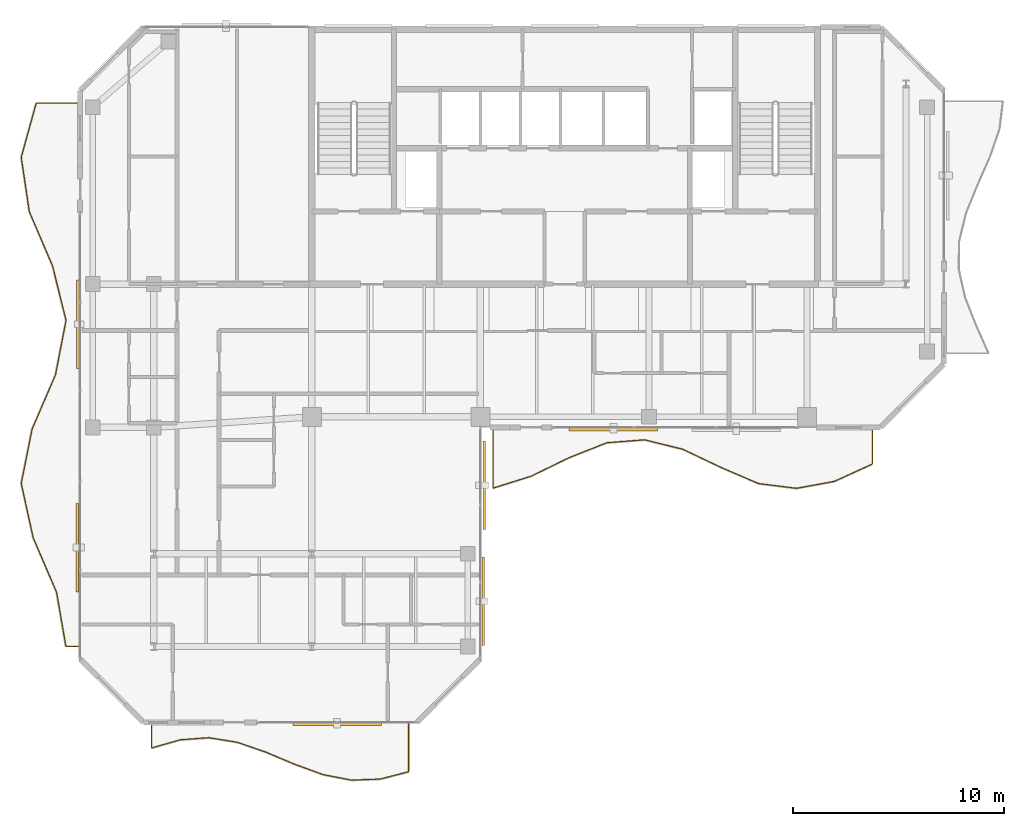
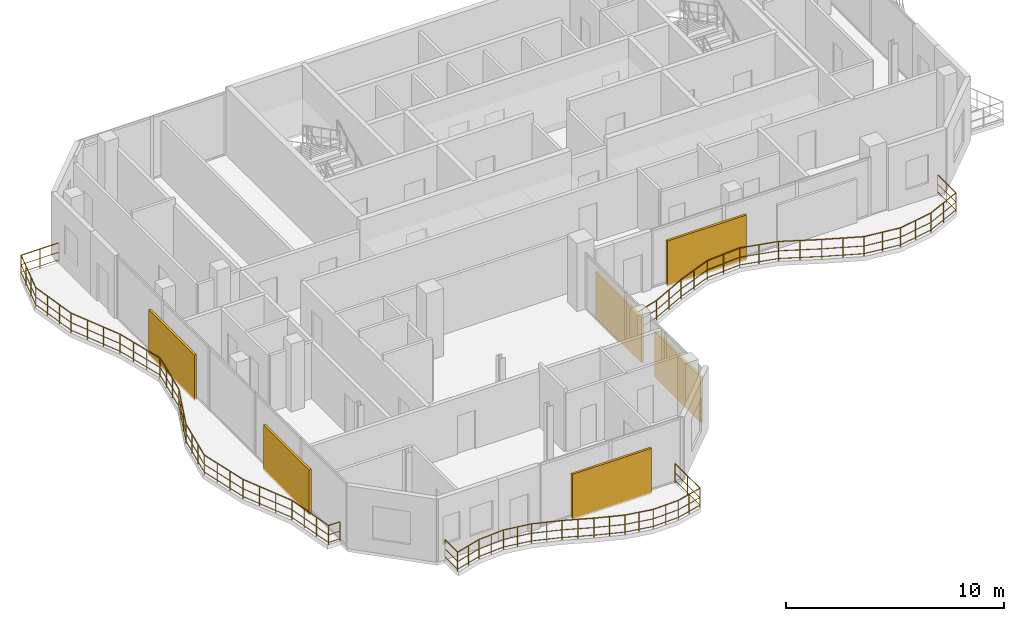
# One storey, part 21 of 23: 6 shading devices, 3 railings.
"""IFC4 building model written with IfcOpenShell, lengths in metres."""

from ifc_helpers import new_model, si_unit, direction, frame, origin, origin_2d, place, context, subcontext, project, spatial, rectangle, circle, extrude, material, type_object, element, save


model = new_model("IFC4")

# Units and contexts
model_context = context("Model", 3, precision=1e-05, world=origin(), true_north=direction((0.0, 1.0)))
body_context = subcontext(model_context, "Body", "Model", "MODEL_VIEW")
ifc_project = project(units=[si_unit("LENGTHUNIT", "METRE"), si_unit("AREAUNIT", "SQUARE_METRE"), si_unit("VOLUMEUNIT", "CUBIC_METRE"), si_unit("PLANEANGLEUNIT", "RADIAN"), si_unit("MASSUNIT", "GRAM", prefix="KILO")], contexts=[model_context])

# Site, building, storey
site_placement = place(None, origin())
site = spatial("IfcSite", under=ifc_project, at=site_placement, CompositionType="ELEMENT")
building_placement = place(site_placement, origin())
building = spatial("IfcBuilding", under=site, at=building_placement, Name="Catumbela Crestline Tower", CompositionType="ELEMENT")
storey_placement = place(building_placement, frame((0.0, 0.0, 248.8)))
storey = spatial("IfcBuildingStorey", under=building, at=storey_placement, Name="L64", CompositionType="ELEMENT", Elevation=248.8)

# Railings
ifc_material_1 = material(Name="Stainless steel EN 1.4401", Category="steel")
railing_type = type_object("IfcRailingType", Name="RB-1100", PredefinedType="BALUSTRADE", material=ifc_material_1)
railing_1_placement = place(storey_placement, frame((24.6, 23.94, 0.0)))
element("IfcRailing", 1, at=railing_1_placement, inside=storey, type_object=railing_type, Name="L64 Private Wave Balcony Balustrade 1", PredefinedType="BALUSTRADE", context=body_context, shape_type="SweptSolid", body=[
    extrude(circle(Radius=0.024, at=origin_2d()), frame((0.0, 0.0, 1.076), z_axis=(0.0, -1.0, 0.0), x_axis=(1.0, 0.0, 0.0)), (0.0, 0.0, 1.0), 2.8213),
    extrude(circle(Radius=0.0156, at=origin_2d()), frame((0.0, 0.0, 0.55), z_axis=(0.0, -1.0, 0.0), x_axis=(1.0, 0.0, 0.0)), (0.0, 0.0, 1.0), 2.8213),
    extrude(circle(Radius=0.0156, at=origin_2d()), frame((0.0, 0.0, 0.12), z_axis=(0.0, -1.0, 0.0), x_axis=(1.0, 0.0, 0.0)), (0.0, 0.0, 1.0), 2.8213),
    extrude(circle(Radius=0.024, at=origin_2d()), frame((0.0, -2.8213, 1.076), z_axis=(0.954374253933, 0.298613099897, 0.0), x_axis=(-0.298613099897, 0.954374253933, 0.0)), (0.0, 0.0, 1.0), 1.8861),
    extrude(circle(Radius=0.0156, at=origin_2d()), frame((0.0, -2.8213, 0.55), z_axis=(0.954374253933, 0.298613099897, 0.0), x_axis=(-0.298613099897, 0.954374253933, 0.0)), (0.0, 0.0, 1.0), 1.8861),
    extrude(circle(Radius=0.0156, at=origin_2d()), frame((0.0, -2.8213, 0.12), z_axis=(0.954374253933, 0.298613099897, 0.0), x_axis=(-0.298613099897, 0.954374253933, 0.0)), (0.0, 0.0, 1.0), 1.8861),
    extrude(circle(Radius=0.024, at=origin_2d()), frame((1.8, -2.2581, 1.076), z_axis=(0.899073055886, 0.437798629714, 0.0), x_axis=(-0.437798629714, 0.899073055886, 0.0)), (0.0, 0.0, 1.0), 2.0021),
    extrude(circle(Radius=0.0156, at=origin_2d()), frame((1.8, -2.2581, 0.55), z_axis=(0.899073055886, 0.437798629714, 0.0), x_axis=(-0.437798629714, 0.899073055886, 0.0)), (0.0, 0.0, 1.0), 2.0021),
    extrude(circle(Radius=0.0156, at=origin_2d()), frame((1.8, -2.2581, 0.12), z_axis=(0.899073055886, 0.437798629714, 0.0), x_axis=(-0.437798629714, 0.899073055886, 0.0)), (0.0, 0.0, 1.0), 2.0021),
    extrude(circle(Radius=0.024, at=origin_2d()), frame((3.6, -1.3816, 1.076), z_axis=(0.929399644581, 0.369074925526, 0.0), x_axis=(-0.369074925526, 0.929399644581, 0.0)), (0.0, 0.0, 1.0), 1.9367),
    extrude(circle(Radius=0.0156, at=origin_2d()), frame((3.6, -1.3816, 0.55), z_axis=(0.929399644581, 0.369074925526, 0.0), x_axis=(-0.369074925526, 0.929399644581, 0.0)), (0.0, 0.0, 1.0), 1.9367),
    extrude(circle(Radius=0.0156, at=origin_2d()), frame((3.6, -1.3816, 0.12), z_axis=(0.929399644581, 0.369074925526, 0.0), x_axis=(-0.369074925526, 0.929399644581, 0.0)), (0.0, 0.0, 1.0), 1.9367),
    extrude(circle(Radius=0.024, at=origin_2d()), frame((5.4, -0.6668, 1.076), z_axis=(0.9971244509, 0.075781458268, 0.0), x_axis=(-0.075781458268, 0.9971244509, 0.0)), (0.0, 0.0, 1.0), 1.8052),
    extrude(circle(Radius=0.0156, at=origin_2d()), frame((5.4, -0.6668, 0.55), z_axis=(0.9971244509, 0.075781458268, 0.0), x_axis=(-0.075781458268, 0.9971244509, 0.0)), (0.0, 0.0, 1.0), 1.8052),
    extrude(circle(Radius=0.0156, at=origin_2d()), frame((5.4, -0.6668, 0.12), z_axis=(0.9971244509, 0.075781458268, 0.0), x_axis=(-0.075781458268, 0.9971244509, 0.0)), (0.0, 0.0, 1.0), 1.8052),
    extrude(circle(Radius=0.024, at=origin_2d()), frame((7.2, -0.53, 1.076), z_axis=(0.97081135802, -0.239844339395, 0.0), x_axis=(0.239844339395, 0.97081135802, 0.0)), (0.0, 0.0, 1.0), 1.8541),
    extrude(circle(Radius=0.0156, at=origin_2d()), frame((7.2, -0.53, 0.55), z_axis=(0.97081135802, -0.239844339395, 0.0), x_axis=(0.239844339395, 0.97081135802, 0.0)), (0.0, 0.0, 1.0), 1.8541),
    extrude(circle(Radius=0.0156, at=origin_2d()), frame((7.2, -0.53, 0.12), z_axis=(0.97081135802, -0.239844339395, 0.0), x_axis=(0.239844339395, 0.97081135802, 0.0)), (0.0, 0.0, 1.0), 1.8541),
    extrude(circle(Radius=0.024, at=origin_2d()), frame((9.0, -0.9747, 1.076), z_axis=(0.903141340366, -0.429343358306, 0.0), x_axis=(0.429343358306, 0.903141340366, 0.0)), (0.0, 0.0, 1.0), 1.993),
    extrude(circle(Radius=0.0156, at=origin_2d()), frame((9.0, -0.9747, 0.55), z_axis=(0.903141340366, -0.429343358306, 0.0), x_axis=(0.429343358306, 0.903141340366, 0.0)), (0.0, 0.0, 1.0), 1.993),
    extrude(circle(Radius=0.0156, at=origin_2d()), frame((9.0, -0.9747, 0.12), z_axis=(0.903141340366, -0.429343358306, 0.0), x_axis=(0.429343358306, 0.903141340366, 0.0)), (0.0, 0.0, 1.0), 1.993),
    extrude(circle(Radius=0.024, at=origin_2d()), frame((10.8, -1.8304, 1.076), z_axis=(0.91863214227, -0.395113891414, 0.0), x_axis=(0.395113891414, 0.91863214227, 0.0)), (0.0, 0.0, 1.0), 1.9594),
    extrude(circle(Radius=0.0156, at=origin_2d()), frame((10.8, -1.8304, 0.55), z_axis=(0.91863214227, -0.395113891414, 0.0), x_axis=(0.395113891414, 0.91863214227, 0.0)), (0.0, 0.0, 1.0), 1.9594),
    extrude(circle(Radius=0.0156, at=origin_2d()), frame((10.8, -1.8304, 0.12), z_axis=(0.91863214227, -0.395113891414, 0.0), x_axis=(0.395113891414, 0.91863214227, 0.0)), (0.0, 0.0, 1.0), 1.9594),
    extrude(circle(Radius=0.024, at=origin_2d()), frame((12.6, -2.6046, 1.076), z_axis=(0.992250714481, -0.124251839469, 0.0), x_axis=(0.124251839469, 0.992250714481, 0.0)), (0.0, 0.0, 1.0), 1.8141),
    extrude(circle(Radius=0.0156, at=origin_2d()), frame((12.6, -2.6046, 0.55), z_axis=(0.992250714481, -0.124251839469, 0.0), x_axis=(0.124251839469, 0.992250714481, 0.0)), (0.0, 0.0, 1.0), 1.8141),
    extrude(circle(Radius=0.0156, at=origin_2d()), frame((12.6, -2.6046, 0.12), z_axis=(0.992250714481, -0.124251839469, 0.0), x_axis=(0.124251839469, 0.992250714481, 0.0)), (0.0, 0.0, 1.0), 1.8141),
    extrude(circle(Radius=0.024, at=origin_2d()), frame((14.4, -2.83, 1.076), z_axis=(0.983751645667, 0.179534675334, 0.0), x_axis=(-0.179534675334, 0.983751645667, 0.0)), (0.0, 0.0, 1.0), 1.8297),
    extrude(circle(Radius=0.0156, at=origin_2d()), frame((14.4, -2.83, 0.55), z_axis=(0.983751645667, 0.179534675334, 0.0), x_axis=(-0.179534675334, 0.983751645667, 0.0)), (0.0, 0.0, 1.0), 1.8297),
    extrude(circle(Radius=0.0156, at=origin_2d()), frame((14.4, -2.83, 0.12), z_axis=(0.983751645667, 0.179534675334, 0.0), x_axis=(-0.179534675334, 0.983751645667, 0.0)), (0.0, 0.0, 1.0), 1.8297),
    extrude(circle(Radius=0.024, at=origin_2d()), frame((16.2, -2.5015, 1.076), z_axis=(0.909733657009, 0.415192332907, 0.0), x_axis=(-0.415192332907, 0.909733657009, 0.0)), (0.0, 0.0, 1.0), 1.9786),
    extrude(circle(Radius=0.0156, at=origin_2d()), frame((16.2, -2.5015, 0.55), z_axis=(0.909733657009, 0.415192332907, 0.0), x_axis=(-0.415192332907, 0.909733657009, 0.0)), (0.0, 0.0, 1.0), 1.9786),
    extrude(circle(Radius=0.0156, at=origin_2d()), frame((16.2, -2.5015, 0.12), z_axis=(0.909733657009, 0.415192332907, 0.0), x_axis=(-0.415192332907, 0.909733657009, 0.0)), (0.0, 0.0, 1.0), 1.9786),
    extrude(circle(Radius=0.024, at=origin_2d()), frame((18.0, -1.68, 1.076), z_axis=(0.0, 1.0, 0.0), x_axis=(-1.0, 0.0, 0.0)), (0.0, 0.0, 1.0), 1.68),
    extrude(circle(Radius=0.0156, at=origin_2d()), frame((18.0, -1.68, 0.55), z_axis=(0.0, 1.0, 0.0), x_axis=(-1.0, 0.0, 0.0)), (0.0, 0.0, 1.0), 1.68),
    extrude(circle(Radius=0.0156, at=origin_2d()), frame((18.0, -1.68, 0.12), z_axis=(0.0, 1.0, 0.0), x_axis=(-1.0, 0.0, 0.0)), (0.0, 0.0, 1.0), 1.68),
    extrude(circle(Radius=0.021, at=origin_2d()), origin(), (0.0, 0.0, 1.0), 1.052),
    extrude(circle(Radius=0.021, at=origin_2d()), frame((0.0, -0.9404, 0.0)), (0.0, 0.0, 1.0), 1.052),
    extrude(circle(Radius=0.021, at=origin_2d()), frame((0.0, -1.8809, 0.0)), (0.0, 0.0, 1.0), 1.052),
    extrude(circle(Radius=0.021, at=origin_2d()), frame((0.0, -2.8213, 0.0)), (0.0, 0.0, 1.0), 1.052),
    extrude(circle(Radius=0.021, at=origin_2d()), frame((0.9, -2.5397, 0.0)), (0.0, 0.0, 1.0), 1.052),
    extrude(circle(Radius=0.021, at=origin_2d()), frame((1.8, -2.2581, 0.0)), (0.0, 0.0, 1.0), 1.052),
    extrude(circle(Radius=0.021, at=origin_2d()), frame((2.7, -1.8199, 0.0)), (0.0, 0.0, 1.0), 1.052),
    extrude(circle(Radius=0.021, at=origin_2d()), frame((3.6, -1.3816, 0.0)), (0.0, 0.0, 1.0), 1.052),
    extrude(circle(Radius=0.021, at=origin_2d()), frame((4.5, -1.0242, 0.0)), (0.0, 0.0, 1.0), 1.052),
    extrude(circle(Radius=0.021, at=origin_2d()), frame((5.4, -0.6668, 0.0)), (0.0, 0.0, 1.0), 1.052),
    extrude(circle(Radius=0.021, at=origin_2d()), frame((6.3, -0.5984, 0.0)), (0.0, 0.0, 1.0), 1.052),
    extrude(circle(Radius=0.021, at=origin_2d()), frame((7.2, -0.53, 0.0)), (0.0, 0.0, 1.0), 1.052),
    extrude(circle(Radius=0.021, at=origin_2d()), frame((8.1, -0.7524, 0.0)), (0.0, 0.0, 1.0), 1.052),
    extrude(circle(Radius=0.021, at=origin_2d()), frame((9.0, -0.9747, 0.0)), (0.0, 0.0, 1.0), 1.052),
    extrude(circle(Radius=0.021, at=origin_2d()), frame((9.9, -1.4026, 0.0)), (0.0, 0.0, 1.0), 1.052),
    extrude(circle(Radius=0.021, at=origin_2d()), frame((10.8, -1.8304, 0.0)), (0.0, 0.0, 1.0), 1.052),
    extrude(circle(Radius=0.021, at=origin_2d()), frame((11.7, -2.2175, 0.0)), (0.0, 0.0, 1.0), 1.052),
    extrude(circle(Radius=0.021, at=origin_2d()), frame((12.6, -2.6046, 0.0)), (0.0, 0.0, 1.0), 1.052),
    extrude(circle(Radius=0.021, at=origin_2d()), frame((13.5, -2.7173, 0.0)), (0.0, 0.0, 1.0), 1.052),
    extrude(circle(Radius=0.021, at=origin_2d()), frame((14.4, -2.83, 0.0)), (0.0, 0.0, 1.0), 1.052),
    extrude(circle(Radius=0.021, at=origin_2d()), frame((15.3, -2.6658, 0.0)), (0.0, 0.0, 1.0), 1.052),
    extrude(circle(Radius=0.021, at=origin_2d()), frame((16.2, -2.5015, 0.0)), (0.0, 0.0, 1.0), 1.052),
    extrude(circle(Radius=0.021, at=origin_2d()), frame((17.1, -2.0908, 0.0)), (0.0, 0.0, 1.0), 1.052),
    extrude(circle(Radius=0.021, at=origin_2d()), frame((18.0, -1.68, 0.0)), (0.0, 0.0, 1.0), 1.052),
    extrude(circle(Radius=0.021, at=origin_2d()), frame((18.0, -0.84, 0.0)), (0.0, 0.0, 1.0), 1.052),
    extrude(circle(Radius=0.021, at=origin_2d()), frame((18.0, 0.0, 0.0)), (0.0, 0.0, 1.0), 1.052),
])
railing_2_placement = place(storey_placement, frame((8.4, 9.94, 0.0)))
element("IfcRailing", 2, at=railing_2_placement, inside=storey, type_object=railing_type, Name="L64 Private Wave Balcony Balustrade 3", PredefinedType="BALUSTRADE", context=body_context, shape_type="SweptSolid", body=[
    extrude(circle(Radius=0.024, at=origin_2d()), frame((0.0, 0.0, 1.076), z_axis=(0.0, -1.0, 0.0), x_axis=(1.0, 0.0, 0.0)), (0.0, 0.0, 1.0), 1.1526),
    extrude(circle(Radius=0.0156, at=origin_2d()), frame((0.0, 0.0, 0.55), z_axis=(0.0, -1.0, 0.0), x_axis=(1.0, 0.0, 0.0)), (0.0, 0.0, 1.0), 1.1526),
    extrude(circle(Radius=0.0156, at=origin_2d()), frame((0.0, 0.0, 0.12), z_axis=(0.0, -1.0, 0.0), x_axis=(1.0, 0.0, 0.0)), (0.0, 0.0, 1.0), 1.1526),
    extrude(circle(Radius=0.024, at=origin_2d()), frame((0.0, -1.1526, 1.076), z_axis=(0.961638970594, 0.274318228038, 0.0), x_axis=(-0.274318228038, 0.961638970594, 0.0)), (0.0, 0.0, 1.0), 1.4097),
    extrude(circle(Radius=0.0156, at=origin_2d()), frame((0.0, -1.1526, 0.55), z_axis=(0.961638970594, 0.274318228038, 0.0), x_axis=(-0.274318228038, 0.961638970594, 0.0)), (0.0, 0.0, 1.0), 1.4097),
    extrude(circle(Radius=0.0156, at=origin_2d()), frame((0.0, -1.1526, 0.12), z_axis=(0.961638970594, 0.274318228038, 0.0), x_axis=(-0.274318228038, 0.961638970594, 0.0)), (0.0, 0.0, 1.0), 1.4097),
    extrude(circle(Radius=0.024, at=origin_2d()), frame((1.3556, -0.7659, 1.076), z_axis=(0.997295187755, 0.073500397829, 0.0), x_axis=(-0.073500397829, 0.997295187755, 0.0)), (0.0, 0.0, 1.0), 1.3592),
    extrude(circle(Radius=0.0156, at=origin_2d()), frame((1.3556, -0.7659, 0.55), z_axis=(0.997295187755, 0.073500397829, 0.0), x_axis=(-0.073500397829, 0.997295187755, 0.0)), (0.0, 0.0, 1.0), 1.3592),
    extrude(circle(Radius=0.0156, at=origin_2d()), frame((1.3556, -0.7659, 0.12), z_axis=(0.997295187755, 0.073500397829, 0.0), x_axis=(-0.073500397829, 0.997295187755, 0.0)), (0.0, 0.0, 1.0), 1.3592),
    extrude(circle(Radius=0.024, at=origin_2d()), frame((2.7111, -0.666, 1.076), z_axis=(0.987280607488, -0.158987427423, 0.0), x_axis=(0.158987427423, 0.987280607488, 0.0)), (0.0, 0.0, 1.0), 1.3731),
    extrude(circle(Radius=0.0156, at=origin_2d()), frame((2.7111, -0.666, 0.55), z_axis=(0.987280607488, -0.158987427423, 0.0), x_axis=(0.158987427423, 0.987280607488, 0.0)), (0.0, 0.0, 1.0), 1.3731),
    extrude(circle(Radius=0.0156, at=origin_2d()), frame((2.7111, -0.666, 0.12), z_axis=(0.987280607488, -0.158987427423, 0.0), x_axis=(0.158987427423, 0.987280607488, 0.0)), (0.0, 0.0, 1.0), 1.3731),
    extrude(circle(Radius=0.024, at=origin_2d()), frame((4.0667, -0.8843, 1.076), z_axis=(0.945225416376, -0.326418308673, 0.0), x_axis=(0.326418308673, 0.945225416376, 0.0)), (0.0, 0.0, 1.0), 1.434),
    extrude(circle(Radius=0.0156, at=origin_2d()), frame((4.0667, -0.8843, 0.55), z_axis=(0.945225416376, -0.326418308673, 0.0), x_axis=(0.326418308673, 0.945225416376, 0.0)), (0.0, 0.0, 1.0), 1.434),
    extrude(circle(Radius=0.0156, at=origin_2d()), frame((4.0667, -0.8843, 0.12), z_axis=(0.945225416376, -0.326418308673, 0.0), x_axis=(0.326418308673, 0.945225416376, 0.0)), (0.0, 0.0, 1.0), 1.434),
    extrude(circle(Radius=0.024, at=origin_2d()), frame((5.4222, -1.3524, 1.076), z_axis=(0.92160593894, -0.388126903615, 0.0), x_axis=(0.388126903615, 0.92160593894, 0.0)), (0.0, 0.0, 1.0), 1.4709),
    extrude(circle(Radius=0.0156, at=origin_2d()), frame((5.4222, -1.3524, 0.55), z_axis=(0.92160593894, -0.388126903615, 0.0), x_axis=(0.388126903615, 0.92160593894, 0.0)), (0.0, 0.0, 1.0), 1.4709),
    extrude(circle(Radius=0.0156, at=origin_2d()), frame((5.4222, -1.3524, 0.12), z_axis=(0.92160593894, -0.388126903615, 0.0), x_axis=(0.388126903615, 0.92160593894, 0.0)), (0.0, 0.0, 1.0), 1.4709),
    extrude(circle(Radius=0.024, at=origin_2d()), frame((6.7778, -1.9233, 1.076), z_axis=(0.939438802218, -0.342716700625, 0.0), x_axis=(0.342716700625, 0.939438802218, 0.0)), (0.0, 0.0, 1.0), 1.4429),
    extrude(circle(Radius=0.0156, at=origin_2d()), frame((6.7778, -1.9233, 0.55), z_axis=(0.939438802218, -0.342716700625, 0.0), x_axis=(0.342716700625, 0.939438802218, 0.0)), (0.0, 0.0, 1.0), 1.4429),
    extrude(circle(Radius=0.0156, at=origin_2d()), frame((6.7778, -1.9233, 0.12), z_axis=(0.939438802218, -0.342716700625, 0.0), x_axis=(0.342716700625, 0.939438802218, 0.0)), (0.0, 0.0, 1.0), 1.4429),
    extrude(circle(Radius=0.024, at=origin_2d()), frame((8.1333, -2.4178, 1.076), z_axis=(0.981695205488, -0.190458718681, 0.0), x_axis=(0.190458718681, 0.981695205488, 0.0)), (0.0, 0.0, 1.0), 1.3809),
    extrude(circle(Radius=0.0156, at=origin_2d()), frame((8.1333, -2.4178, 0.55), z_axis=(0.981695205488, -0.190458718681, 0.0), x_axis=(0.190458718681, 0.981695205488, 0.0)), (0.0, 0.0, 1.0), 1.3809),
    extrude(circle(Radius=0.0156, at=origin_2d()), frame((8.1333, -2.4178, 0.12), z_axis=(0.981695205488, -0.190458718681, 0.0), x_axis=(0.190458718681, 0.981695205488, 0.0)), (0.0, 0.0, 1.0), 1.3809),
    extrude(circle(Radius=0.024, at=origin_2d()), frame((9.4889, -2.6808, 1.076), z_axis=(0.999290176847, 0.03767150722, 0.0), x_axis=(-0.03767150722, 0.999290176847, 0.0)), (0.0, 0.0, 1.0), 1.3565),
    extrude(circle(Radius=0.0156, at=origin_2d()), frame((9.4889, -2.6808, 0.55), z_axis=(0.999290176847, 0.03767150722, 0.0), x_axis=(-0.03767150722, 0.999290176847, 0.0)), (0.0, 0.0, 1.0), 1.3565),
    extrude(circle(Radius=0.0156, at=origin_2d()), frame((9.4889, -2.6808, 0.12), z_axis=(0.999290176847, 0.03767150722, 0.0), x_axis=(-0.03767150722, 0.999290176847, 0.0)), (0.0, 0.0, 1.0), 1.3565),
    extrude(circle(Radius=0.024, at=origin_2d()), frame((10.8444, -2.6297, 1.076), z_axis=(0.968386510781, 0.249454536415, 0.0), x_axis=(-0.249454536415, 0.968386510781, 0.0)), (0.0, 0.0, 1.0), 1.3999),
    extrude(circle(Radius=0.0156, at=origin_2d()), frame((10.8444, -2.6297, 0.55), z_axis=(0.968386510781, 0.249454536415, 0.0), x_axis=(-0.249454536415, 0.968386510781, 0.0)), (0.0, 0.0, 1.0), 1.3999),
    extrude(circle(Radius=0.0156, at=origin_2d()), frame((10.8444, -2.6297, 0.12), z_axis=(0.968386510781, 0.249454536415, 0.0), x_axis=(-0.249454536415, 0.968386510781, 0.0)), (0.0, 0.0, 1.0), 1.3999),
    extrude(circle(Radius=0.024, at=origin_2d()), frame((12.2, -2.2805, 1.076), z_axis=(0.0, 1.0, 0.0), x_axis=(-1.0, 0.0, 0.0)), (0.0, 0.0, 1.0), 2.2805),
    extrude(circle(Radius=0.0156, at=origin_2d()), frame((12.2, -2.2805, 0.55), z_axis=(0.0, 1.0, 0.0), x_axis=(-1.0, 0.0, 0.0)), (0.0, 0.0, 1.0), 2.2805),
    extrude(circle(Radius=0.0156, at=origin_2d()), frame((12.2, -2.2805, 0.12), z_axis=(0.0, 1.0, 0.0), x_axis=(-1.0, 0.0, 0.0)), (0.0, 0.0, 1.0), 2.2805),
    extrude(circle(Radius=0.021, at=origin_2d()), origin(), (0.0, 0.0, 1.0), 1.052),
    extrude(circle(Radius=0.021, at=origin_2d()), frame((0.0, -1.1526, 0.0)), (0.0, 0.0, 1.0), 1.052),
    extrude(circle(Radius=0.021, at=origin_2d()), frame((0.6778, -0.9592, 0.0)), (0.0, 0.0, 1.0), 1.052),
    extrude(circle(Radius=0.021, at=origin_2d()), frame((1.3556, -0.7659, 0.0)), (0.0, 0.0, 1.0), 1.052),
    extrude(circle(Radius=0.021, at=origin_2d()), frame((2.0333, -0.716, 0.0)), (0.0, 0.0, 1.0), 1.052),
    extrude(circle(Radius=0.021, at=origin_2d()), frame((2.7111, -0.666, 0.0)), (0.0, 0.0, 1.0), 1.052),
    extrude(circle(Radius=0.021, at=origin_2d()), frame((3.3889, -0.7752, 0.0)), (0.0, 0.0, 1.0), 1.052),
    extrude(circle(Radius=0.021, at=origin_2d()), frame((4.0667, -0.8843, 0.0)), (0.0, 0.0, 1.0), 1.052),
    extrude(circle(Radius=0.021, at=origin_2d()), frame((4.7444, -1.1183, 0.0)), (0.0, 0.0, 1.0), 1.052),
    extrude(circle(Radius=0.021, at=origin_2d()), frame((5.4222, -1.3524, 0.0)), (0.0, 0.0, 1.0), 1.052),
    extrude(circle(Radius=0.021, at=origin_2d()), frame((6.1, -1.6378, 0.0)), (0.0, 0.0, 1.0), 1.052),
    extrude(circle(Radius=0.021, at=origin_2d()), frame((6.7778, -1.9233, 0.0)), (0.0, 0.0, 1.0), 1.052),
    extrude(circle(Radius=0.021, at=origin_2d()), frame((7.4556, -2.1705, 0.0)), (0.0, 0.0, 1.0), 1.052),
    extrude(circle(Radius=0.021, at=origin_2d()), frame((8.1333, -2.4178, 0.0)), (0.0, 0.0, 1.0), 1.052),
    extrude(circle(Radius=0.021, at=origin_2d()), frame((8.8111, -2.5493, 0.0)), (0.0, 0.0, 1.0), 1.052),
    extrude(circle(Radius=0.021, at=origin_2d()), frame((9.4889, -2.6808, 0.0)), (0.0, 0.0, 1.0), 1.052),
    extrude(circle(Radius=0.021, at=origin_2d()), frame((10.1666, -2.6552, 0.0)), (0.0, 0.0, 1.0), 1.052),
    extrude(circle(Radius=0.021, at=origin_2d()), frame((10.8444, -2.6297, 0.0)), (0.0, 0.0, 1.0), 1.052),
    extrude(circle(Radius=0.021, at=origin_2d()), frame((11.5222, -2.4551, 0.0)), (0.0, 0.0, 1.0), 1.052),
    extrude(circle(Radius=0.021, at=origin_2d()), frame((12.2, -2.2805, 0.0)), (0.0, 0.0, 1.0), 1.052),
    extrude(circle(Radius=0.021, at=origin_2d()), frame((12.2, -1.1402, 0.0)), (0.0, 0.0, 1.0), 1.052),
    extrude(circle(Radius=0.021, at=origin_2d()), frame((12.2, 0.0, 0.0)), (0.0, 0.0, 1.0), 1.052),
])
railing_3_placement = place(storey_placement, frame((4.94, 39.4, 0.0)))
element("IfcRailing", 3, at=railing_3_placement, inside=storey, type_object=railing_type, Name="L64 Private Wave Balcony Balustrade 4", PredefinedType="BALUSTRADE", context=body_context, shape_type="SweptSolid", body=[
    extrude(circle(Radius=0.024, at=origin_2d()), frame((0.0, 0.0, 1.076), z_axis=(-1.0, 0.0, 0.0), x_axis=(0.0, -1.0, 0.0)), (0.0, 0.0, 1.0), 2.0156),
    extrude(circle(Radius=0.0156, at=origin_2d()), frame((0.0, 0.0, 0.55), z_axis=(-1.0, 0.0, 0.0), x_axis=(0.0, -1.0, 0.0)), (0.0, 0.0, 1.0), 2.0156),
    extrude(circle(Radius=0.0156, at=origin_2d()), frame((0.0, 0.0, 0.12), z_axis=(-1.0, 0.0, 0.0), x_axis=(0.0, -1.0, 0.0)), (0.0, 0.0, 1.0), 2.0156),
    extrude(circle(Radius=0.024, at=origin_2d()), frame((-2.0156, 0.0, 1.076), z_axis=(-0.26685773302, -0.963735933919, 0.0), x_axis=(0.963735933919, -0.26685773302, 0.0)), (0.0, 0.0, 1.0), 2.6771),
    extrude(circle(Radius=0.0156, at=origin_2d()), frame((-2.0156, 0.0, 0.55), z_axis=(-0.26685773302, -0.963735933919, 0.0), x_axis=(0.963735933919, -0.26685773302, 0.0)), (0.0, 0.0, 1.0), 2.6771),
    extrude(circle(Radius=0.0156, at=origin_2d()), frame((-2.0156, 0.0, 0.12), z_axis=(-0.26685773302, -0.963735933919, 0.0), x_axis=(0.963735933919, -0.26685773302, 0.0)), (0.0, 0.0, 1.0), 2.6771),
    extrude(circle(Radius=0.024, at=origin_2d()), frame((-2.73, -2.58, 1.076), z_axis=(0.147290555602, -0.989093267711, 0.0), x_axis=(0.989093267711, 0.147290555602, 0.0)), (0.0, 0.0, 1.0), 2.6084),
    extrude(circle(Radius=0.0156, at=origin_2d()), frame((-2.73, -2.58, 0.55), z_axis=(0.147290555602, -0.989093267711, 0.0), x_axis=(0.989093267711, 0.147290555602, 0.0)), (0.0, 0.0, 1.0), 2.6084),
    extrude(circle(Radius=0.0156, at=origin_2d()), frame((-2.73, -2.58, 0.12), z_axis=(0.147290555602, -0.989093267711, 0.0), x_axis=(0.989093267711, 0.147290555602, 0.0)), (0.0, 0.0, 1.0), 2.6084),
    extrude(circle(Radius=0.024, at=origin_2d()), frame((-2.3458, -5.16, 1.076), z_axis=(0.393011494217, -0.919533558612, 0.0), x_axis=(0.919533558612, 0.393011494217, 0.0)), (0.0, 0.0, 1.0), 2.8058),
    extrude(circle(Radius=0.0156, at=origin_2d()), frame((-2.3458, -5.16, 0.55), z_axis=(0.393011494217, -0.919533558612, 0.0), x_axis=(0.919533558612, 0.393011494217, 0.0)), (0.0, 0.0, 1.0), 2.8058),
    extrude(circle(Radius=0.0156, at=origin_2d()), frame((-2.3458, -5.16, 0.12), z_axis=(0.393011494217, -0.919533558612, 0.0), x_axis=(0.919533558612, 0.393011494217, 0.0)), (0.0, 0.0, 1.0), 2.8058),
    extrude(circle(Radius=0.024, at=origin_2d()), frame((-1.2431, -7.74, 1.076), z_axis=(0.240835766805, -0.970565883095, 0.0), x_axis=(0.970565883095, 0.240835766805, 0.0)), (0.0, 0.0, 1.0), 2.6582),
    extrude(circle(Radius=0.0156, at=origin_2d()), frame((-1.2431, -7.74, 0.55), z_axis=(0.240835766805, -0.970565883095, 0.0), x_axis=(0.970565883095, 0.240835766805, 0.0)), (0.0, 0.0, 1.0), 2.6582),
    extrude(circle(Radius=0.0156, at=origin_2d()), frame((-1.2431, -7.74, 0.12), z_axis=(0.240835766805, -0.970565883095, 0.0), x_axis=(0.970565883095, 0.240835766805, 0.0)), (0.0, 0.0, 1.0), 2.6582),
    extrude(circle(Radius=0.024, at=origin_2d()), frame((-0.6029, -10.32, 1.076), z_axis=(-0.190258531517, -0.981734022628, 0.0), x_axis=(0.981734022628, -0.190258531517, 0.0)), (0.0, 0.0, 1.0), 2.628),
    extrude(circle(Radius=0.0156, at=origin_2d()), frame((-0.6029, -10.32, 0.55), z_axis=(-0.190258531517, -0.981734022628, 0.0), x_axis=(0.981734022628, -0.190258531517, 0.0)), (0.0, 0.0, 1.0), 2.628),
    extrude(circle(Radius=0.0156, at=origin_2d()), frame((-0.6029, -10.32, 0.12), z_axis=(-0.190258531517, -0.981734022628, 0.0), x_axis=(0.981734022628, -0.190258531517, 0.0)), (0.0, 0.0, 1.0), 2.628),
    extrude(circle(Radius=0.024, at=origin_2d()), frame((-1.1029, -12.9, 1.076), z_axis=(-0.395478371758, -0.918475289527, 0.0), x_axis=(0.918475289527, -0.395478371758, 0.0)), (0.0, 0.0, 1.0), 2.809),
    extrude(circle(Radius=0.0156, at=origin_2d()), frame((-1.1029, -12.9, 0.55), z_axis=(-0.395478371758, -0.918475289527, 0.0), x_axis=(0.918475289527, -0.395478371758, 0.0)), (0.0, 0.0, 1.0), 2.809),
    extrude(circle(Radius=0.0156, at=origin_2d()), frame((-1.1029, -12.9, 0.12), z_axis=(-0.395478371758, -0.918475289527, 0.0), x_axis=(0.918475289527, -0.395478371758, 0.0)), (0.0, 0.0, 1.0), 2.809),
    extrude(circle(Radius=0.024, at=origin_2d()), frame((-2.2138, -15.48, 1.076), z_axis=(-0.196189223894, -0.980566055107, 0.0), x_axis=(0.980566055107, -0.196189223894, 0.0)), (0.0, 0.0, 1.0), 2.6311),
    extrude(circle(Radius=0.0156, at=origin_2d()), frame((-2.2138, -15.48, 0.55), z_axis=(-0.196189223894, -0.980566055107, 0.0), x_axis=(0.980566055107, -0.196189223894, 0.0)), (0.0, 0.0, 1.0), 2.6311),
    extrude(circle(Radius=0.0156, at=origin_2d()), frame((-2.2138, -15.48, 0.12), z_axis=(-0.196189223894, -0.980566055107, 0.0), x_axis=(0.980566055107, -0.196189223894, 0.0)), (0.0, 0.0, 1.0), 2.6311),
    extrude(circle(Radius=0.024, at=origin_2d()), frame((-2.73, -18.06, 1.076), z_axis=(0.21482567537, -0.976652409612, 0.0), x_axis=(0.976652409612, 0.21482567537, 0.0)), (0.0, 0.0, 1.0), 2.6417),
    extrude(circle(Radius=0.0156, at=origin_2d()), frame((-2.73, -18.06, 0.55), z_axis=(0.21482567537, -0.976652409612, 0.0), x_axis=(0.976652409612, 0.21482567537, 0.0)), (0.0, 0.0, 1.0), 2.6417),
    extrude(circle(Radius=0.0156, at=origin_2d()), frame((-2.73, -18.06, 0.12), z_axis=(0.21482567537, -0.976652409612, 0.0), x_axis=(0.976652409612, 0.21482567537, 0.0)), (0.0, 0.0, 1.0), 2.6417),
    extrude(circle(Radius=0.024, at=origin_2d()), frame((-2.1625, -20.64, 1.076), z_axis=(0.394546773673, -0.918875858527, 0.0), x_axis=(0.918875858527, 0.394546773673, 0.0)), (0.0, 0.0, 1.0), 2.8078),
    extrude(circle(Radius=0.0156, at=origin_2d()), frame((-2.1625, -20.64, 0.55), z_axis=(0.394546773673, -0.918875858527, 0.0), x_axis=(0.918875858527, 0.394546773673, 0.0)), (0.0, 0.0, 1.0), 2.8078),
    extrude(circle(Radius=0.0156, at=origin_2d()), frame((-2.1625, -20.64, 0.12), z_axis=(0.394546773673, -0.918875858527, 0.0), x_axis=(0.918875858527, 0.394546773673, 0.0)), (0.0, 0.0, 1.0), 2.8078),
    extrude(circle(Radius=0.024, at=origin_2d()), frame((-1.0547, -23.22, 1.076), z_axis=(0.170304670428, -0.985391454819, 0.0), x_axis=(0.985391454819, 0.170304670428, 0.0)), (0.0, 0.0, 1.0), 2.6182),
    extrude(circle(Radius=0.0156, at=origin_2d()), frame((-1.0547, -23.22, 0.55), z_axis=(0.170304670428, -0.985391454819, 0.0), x_axis=(0.985391454819, 0.170304670428, 0.0)), (0.0, 0.0, 1.0), 2.6182),
    extrude(circle(Radius=0.0156, at=origin_2d()), frame((-1.0547, -23.22, 0.12), z_axis=(0.170304670428, -0.985391454819, 0.0), x_axis=(0.985391454819, 0.170304670428, 0.0)), (0.0, 0.0, 1.0), 2.6182),
    extrude(circle(Radius=0.024, at=origin_2d()), frame((-0.6088, -25.8, 1.076), z_axis=(1.0, 0.0, 0.0), x_axis=(0.0, 1.0, 0.0)), (0.0, 0.0, 1.0), 0.6088),
    extrude(circle(Radius=0.0156, at=origin_2d()), frame((-0.6088, -25.8, 0.55), z_axis=(1.0, 0.0, 0.0), x_axis=(0.0, 1.0, 0.0)), (0.0, 0.0, 1.0), 0.6088),
    extrude(circle(Radius=0.0156, at=origin_2d()), frame((-0.6088, -25.8, 0.12), z_axis=(1.0, 0.0, 0.0), x_axis=(0.0, 1.0, 0.0)), (0.0, 0.0, 1.0), 0.6088),
    extrude(circle(Radius=0.021, at=origin_2d()), origin(), (0.0, 0.0, 1.0), 1.052),
    extrude(circle(Radius=0.021, at=origin_2d()), frame((-1.0078, 0.0, 0.0)), (0.0, 0.0, 1.0), 1.052),
    extrude(circle(Radius=0.021, at=origin_2d()), frame((-2.0156, 0.0, 0.0)), (0.0, 0.0, 1.0), 1.052),
    extrude(circle(Radius=0.021, at=origin_2d()), frame((-2.2537, -0.86, 0.0)), (0.0, 0.0, 1.0), 1.052),
    extrude(circle(Radius=0.021, at=origin_2d()), frame((-2.4919, -1.72, 0.0)), (0.0, 0.0, 1.0), 1.052),
    extrude(circle(Radius=0.021, at=origin_2d()), frame((-2.73, -2.58, 0.0)), (0.0, 0.0, 1.0), 1.052),
    extrude(circle(Radius=0.021, at=origin_2d()), frame((-2.6019, -3.44, 0.0)), (0.0, 0.0, 1.0), 1.052),
    extrude(circle(Radius=0.021, at=origin_2d()), frame((-2.4739, -4.3, 0.0)), (0.0, 0.0, 1.0), 1.052),
    extrude(circle(Radius=0.021, at=origin_2d()), frame((-2.3458, -5.16, 0.0)), (0.0, 0.0, 1.0), 1.052),
    extrude(circle(Radius=0.021, at=origin_2d()), frame((-1.9782, -6.02, 0.0)), (0.0, 0.0, 1.0), 1.052),
    extrude(circle(Radius=0.021, at=origin_2d()), frame((-1.6107, -6.88, 0.0)), (0.0, 0.0, 1.0), 1.052),
    extrude(circle(Radius=0.021, at=origin_2d()), frame((-1.2431, -7.74, 0.0)), (0.0, 0.0, 1.0), 1.052),
    extrude(circle(Radius=0.021, at=origin_2d()), frame((-1.0297, -8.6, 0.0)), (0.0, 0.0, 1.0), 1.052),
    extrude(circle(Radius=0.021, at=origin_2d()), frame((-0.8163, -9.46, 0.0)), (0.0, 0.0, 1.0), 1.052),
    extrude(circle(Radius=0.021, at=origin_2d()), frame((-0.6029, -10.32, 0.0)), (0.0, 0.0, 1.0), 1.052),
    extrude(circle(Radius=0.021, at=origin_2d()), frame((-0.7696, -11.18, 0.0)), (0.0, 0.0, 1.0), 1.052),
    extrude(circle(Radius=0.021, at=origin_2d()), frame((-0.9362, -12.04, 0.0)), (0.0, 0.0, 1.0), 1.052),
    extrude(circle(Radius=0.021, at=origin_2d()), frame((-1.1029, -12.9, 0.0)), (0.0, 0.0, 1.0), 1.052),
    extrude(circle(Radius=0.021, at=origin_2d()), frame((-1.4732, -13.76, 0.0)), (0.0, 0.0, 1.0), 1.052),
    extrude(circle(Radius=0.021, at=origin_2d()), frame((-1.8435, -14.62, 0.0)), (0.0, 0.0, 1.0), 1.052),
    extrude(circle(Radius=0.021, at=origin_2d()), frame((-2.2138, -15.48, 0.0)), (0.0, 0.0, 1.0), 1.052),
    extrude(circle(Radius=0.021, at=origin_2d()), frame((-2.3859, -16.34, 0.0)), (0.0, 0.0, 1.0), 1.052),
    extrude(circle(Radius=0.021, at=origin_2d()), frame((-2.5579, -17.2, 0.0)), (0.0, 0.0, 1.0), 1.052),
    extrude(circle(Radius=0.021, at=origin_2d()), frame((-2.73, -18.06, 0.0)), (0.0, 0.0, 1.0), 1.052),
    extrude(circle(Radius=0.021, at=origin_2d()), frame((-2.5408, -18.92, 0.0)), (0.0, 0.0, 1.0), 1.052),
    extrude(circle(Radius=0.021, at=origin_2d()), frame((-2.3517, -19.78, 0.0)), (0.0, 0.0, 1.0), 1.052),
    extrude(circle(Radius=0.021, at=origin_2d()), frame((-2.1625, -20.64, 0.0)), (0.0, 0.0, 1.0), 1.052),
    extrude(circle(Radius=0.021, at=origin_2d()), frame((-1.7932, -21.5, 0.0)), (0.0, 0.0, 1.0), 1.052),
    extrude(circle(Radius=0.021, at=origin_2d()), frame((-1.424, -22.36, 0.0)), (0.0, 0.0, 1.0), 1.052),
    extrude(circle(Radius=0.021, at=origin_2d()), frame((-1.0547, -23.22, 0.0)), (0.0, 0.0, 1.0), 1.052),
    extrude(circle(Radius=0.021, at=origin_2d()), frame((-0.9061, -24.08, 0.0)), (0.0, 0.0, 1.0), 1.052),
    extrude(circle(Radius=0.021, at=origin_2d()), frame((-0.7574, -24.94, 0.0)), (0.0, 0.0, 1.0), 1.052),
    extrude(circle(Radius=0.021, at=origin_2d()), frame((-0.6088, -25.8, 0.0)), (0.0, 0.0, 1.0), 1.052),
    extrude(circle(Radius=0.021, at=origin_2d()), frame((0.0, -25.8, 0.0)), (0.0, 0.0, 1.0), 1.052),
])

# Shading devices
ifc_material_2 = material(Name="Extruded terracotta ceramic", Category="masonry")
shading_device_type_1 = type_object("IfcShadingDeviceType", Name="ST-180", PredefinedType="USERDEFINED", material=ifc_material_2)
for number, where, z_axis, x_axis, name in (
    (4, (17.2, 9.901, -0.1), (0.0, 0.0, 1.0), (1.0, 0.0, 0.0), "L64 Perforated Terracotta Solar Screen 773 (180 mm)"),
    (5, (30.3125, 23.901, -0.1), (0.0, 0.0, 1.0), (1.0, 0.0, 0.0), "L64 Perforated Terracotta Solar Screen 776 (180 mm)"),
    (6, (4.901, 28.9, -0.1), (0.0, 0.0, 1.0), (0.0, -1.0, 0.0), "L64 Perforated Terracotta Solar Screen 780 (180 mm)"),
):
    element("IfcShadingDevice", number, at=place(storey_placement, frame(where, z_axis=z_axis, x_axis=x_axis)), inside=storey, type_object=shading_device_type_1, Name=name, ObjectType="SCREEN", PredefinedType="USERDEFINED", context=body_context, shape_type="SweptSolid", body=[
        extrude(rectangle(XDim=4.2, YDim=0.12, at=origin_2d()), origin(), (0.0, 0.0, 1.0), 2.55),
    ])
shading_device_type_2 = type_object("IfcShadingDeviceType", Name="ST-260", PredefinedType="USERDEFINED", material=ifc_material_2)
for number, where, z_axis, x_axis, name in (
    (7, (24.143, 15.75, -0.1), (0.0, 0.0, 1.0), (0.0, 1.0, 0.0), "L64 Perforated Terracotta Solar Screen 774 (260 mm)"),
    (8, (4.857, 18.3, -0.1), (0.0, 0.0, 1.0), (0.0, -1.0, 0.0), "L64 Perforated Terracotta Solar Screen 781 (260 mm)"),
):
    element("IfcShadingDevice", number, at=place(storey_placement, frame(where, z_axis=z_axis, x_axis=x_axis)), inside=storey, type_object=shading_device_type_2, Name=name, ObjectType="SCREEN", PredefinedType="USERDEFINED", context=body_context, shape_type="SweptSolid", body=[
        extrude(rectangle(XDim=4.2, YDim=0.12, at=origin_2d()), origin(), (0.0, 0.0, 1.0), 2.55),
    ])
shading_device_type_3 = type_object("IfcShadingDeviceType", Name="ST-340", PredefinedType="USERDEFINED", material=ifc_material_2)
shading_device_placement = place(storey_placement, frame((24.187, 21.25, -0.1), z_axis=(0.0, 0.0, 1.0), x_axis=(0.0, 1.0, 0.0)))
element("IfcShadingDevice", 9, at=shading_device_placement, inside=storey, type_object=shading_device_type_3, Name="L64 Perforated Terracotta Solar Screen 775 (340 mm)", ObjectType="SCREEN", PredefinedType="USERDEFINED", context=body_context, shape_type="SweptSolid", body=[
    extrude(rectangle(XDim=4.2, YDim=0.12, at=origin_2d()), origin(), (0.0, 0.0, 1.0), 2.55),
])

save(model, "model.ifc")
